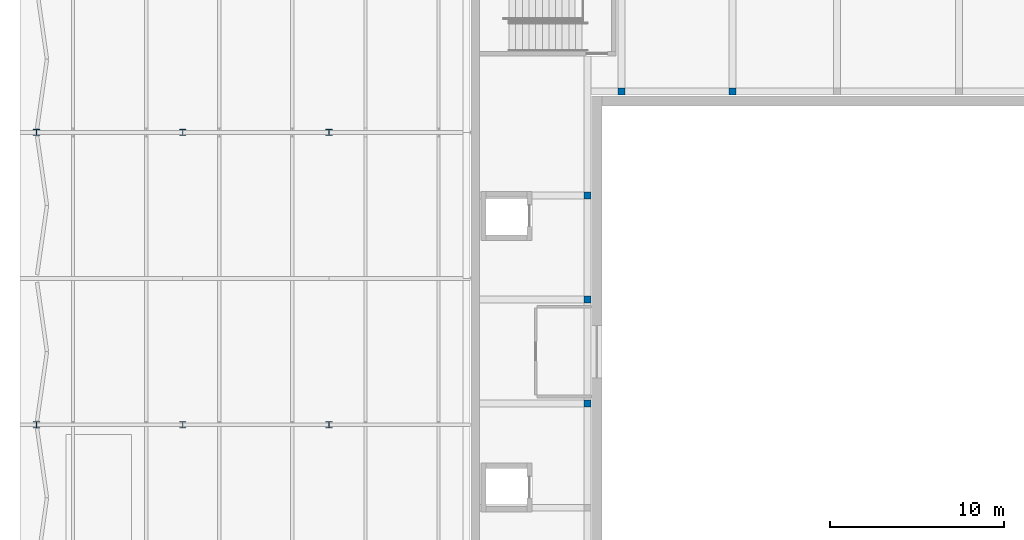
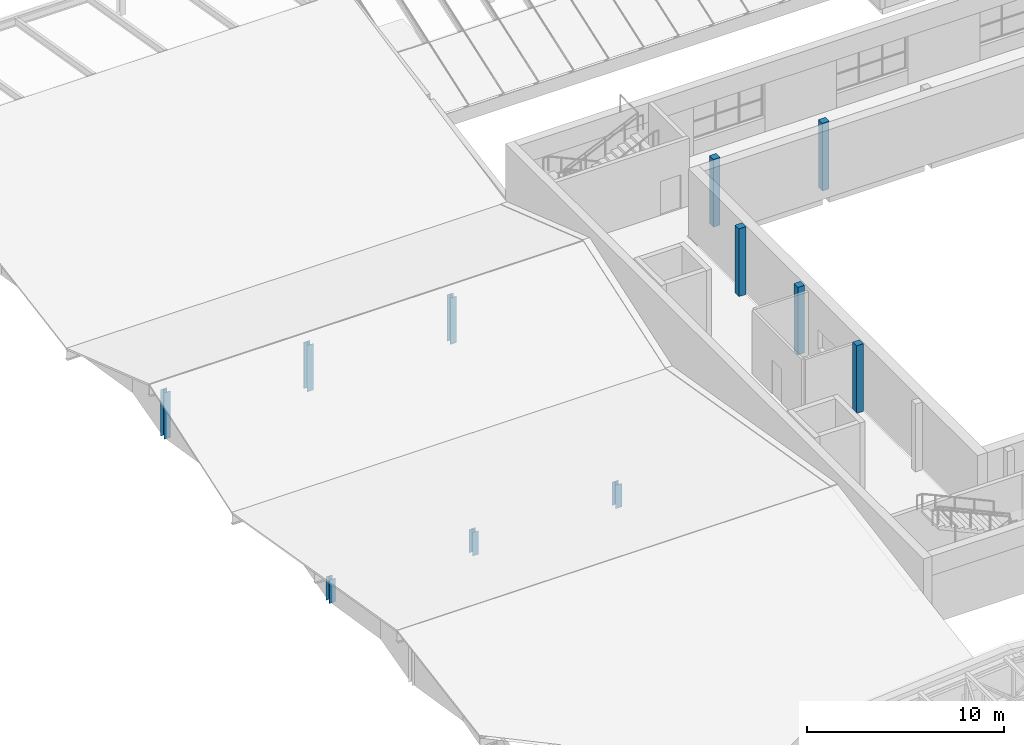
# One storey, part 4 of 60: 11 columns.
"""IFC4 building model written with IfcOpenShell, lengths in metres."""

from ifc_helpers import new_model, si_unit, direction, frame, origin, origin_2d, place, context, subcontext, project, spatial, rectangle, i_section, extrude, material, material_profile, profile_set, type_object, element, save


model = new_model("IFC4")

# Units and contexts
model_context = context("Model", 3, precision=1e-05, world=origin(), true_north=direction((0.0, 1.0)))
body_context = subcontext(model_context, "Body", "Model", "MODEL_VIEW")
ifc_project = project(units=[si_unit("LENGTHUNIT", "METRE"), si_unit("AREAUNIT", "SQUARE_METRE"), si_unit("VOLUMEUNIT", "CUBIC_METRE"), si_unit("PLANEANGLEUNIT", "RADIAN"), si_unit("MASSUNIT", "GRAM", prefix="KILO")], contexts=[model_context])

# Site, building, storey
site_placement = place(None, origin())
site = spatial("IfcSite", under=ifc_project, at=site_placement, CompositionType="ELEMENT")
building_placement = place(site_placement, origin())
building = spatial("IfcBuilding", under=site, at=building_placement, Name="Ljudholm Concert House", CompositionType="ELEMENT")
storey_placement = place(building_placement, frame((0.0, 0.0, 15.0)))
storey = spatial("IfcBuildingStorey", under=building, at=storey_placement, Name="L03", CompositionType="ELEMENT", Elevation=15.0)

# Columns
ifc_material_1 = material(Name="Concrete 6,500 psi", Category="concrete")
ifc_material_profile_1 = material_profile(ifc_material_1, rectangle(XDim=0.39990234375, YDim=0.39990234375, at=origin_2d()), Name="RC COLUMN 400x400")
ifc_profile_set_1 = profile_set([ifc_material_profile_1], Name="Concrete 6,500 psi")
column_type_1 = type_object("IfcColumnType", Name="RC COLUMN 400x400", PredefinedType="COLUMN", material=ifc_profile_set_1)
for number, where, z_axis, x_axis, name in (
    (1, (37.60009765625, 90.35009765625, 0.0), (0.0, 0.0, 1.0), (1.0, 0.0, 0.0), "Ring column"),
    (2, (44.0, 90.35009765625, 0.0), (0.0, 0.0, 1.0), (1.0, 0.0, 0.0), "Ring column"),
    (3, (35.64990234375, 72.409912109375, 0.0), (0.0, 0.0, 1.0), (1.0, 0.0, 0.0), "Ring column"),
    (4, (35.64990234375, 78.389892578125, 0.0), (0.0, 0.0, 1.0), (1.0, 0.0, 0.0), "Ring column"),
    (5, (35.64990234375, 84.3701171875, 0.0), (0.0, 0.0, 1.0), (1.0, 0.0, 0.0), "Ring column"),
):
    element("IfcColumn", number, at=place(storey_placement, frame(where, z_axis=z_axis, x_axis=x_axis)), inside=storey, type_object=column_type_1, Name=name, PredefinedType="COLUMN", context=body_context, shape_type="SweptSolid", body=[
        extrude(rectangle(XDim=0.39990234375, YDim=0.39990234375, at=origin_2d()), origin(), (0.0, 0.0, 1.0), 4.199951171875),
    ])
ifc_material_2 = material(Name="Steel ASTM A992", Category="steel")
ifc_material_profile_2 = material_profile(ifc_material_2, i_section(OverallWidth=0.368408203125, OverallDepth=0.355712890625, WebThickness=0.01123046875, FlangeThickness=0.01806640625, FilletRadius=0.01513671875, at=origin_2d()), Name="W14X90")
ifc_profile_set_2 = profile_set([ifc_material_profile_2], Name="Steel ASTM A992")
column_type_2 = type_object("IfcColumnType", Name="STEEL COLUMN W14X90", PredefinedType="COLUMN", material=ifc_profile_set_2)
for number, where, z_axis, x_axis, name in (
    (6, (4.0, 71.199951171875, 0.0), (0.0, 0.0, 1.0), (1.0, 0.0, 0.0), "Roof post"),
    (7, (12.39990234375, 71.199951171875, 0.0), (0.0, 0.0, 1.0), (1.0, 0.0, 0.0), "Roof post"),
    (8, (20.800048828125, 71.199951171875, 0.0), (0.0, 0.0, 1.0), (1.0, 0.0, 0.0), "Roof post"),
):
    element("IfcColumn", number, at=place(storey_placement, frame(where, z_axis=z_axis, x_axis=x_axis)), inside=storey, type_object=column_type_2, Name=name, PredefinedType="COLUMN", context=body_context, shape_type="SweptSolid", body=[
        extrude(i_section(OverallWidth=0.368408203125, OverallDepth=0.355712890625, WebThickness=0.01123046875, FlangeThickness=0.01806640625, FilletRadius=0.01513671875, at=origin_2d()), origin(), (0.0, 0.0, 1.0), 1.452392578125),
    ])
for number, where, z_axis, x_axis, name in (
    (9, (4.0, 88.0, 0.0), (0.0, 0.0, 1.0), (1.0, 0.0, 0.0), "Roof post"),
    (10, (12.39990234375, 88.0, 0.0), (0.0, 0.0, 1.0), (1.0, 0.0, 0.0), "Roof post"),
    (11, (20.800048828125, 88.0, 0.0), (0.0, 0.0, 1.0), (1.0, 0.0, 0.0), "Roof post"),
):
    element("IfcColumn", number, at=place(storey_placement, frame(where, z_axis=z_axis, x_axis=x_axis)), inside=storey, type_object=column_type_2, Name=name, PredefinedType="COLUMN", context=body_context, shape_type="SweptSolid", body=[
        extrude(i_section(OverallWidth=0.368408203125, OverallDepth=0.355712890625, WebThickness=0.01123046875, FlangeThickness=0.01806640625, FilletRadius=0.01513671875, at=origin_2d()), origin(), (0.0, 0.0, 1.0), 2.882080078125),
    ])

save(model, "model.ifc")
